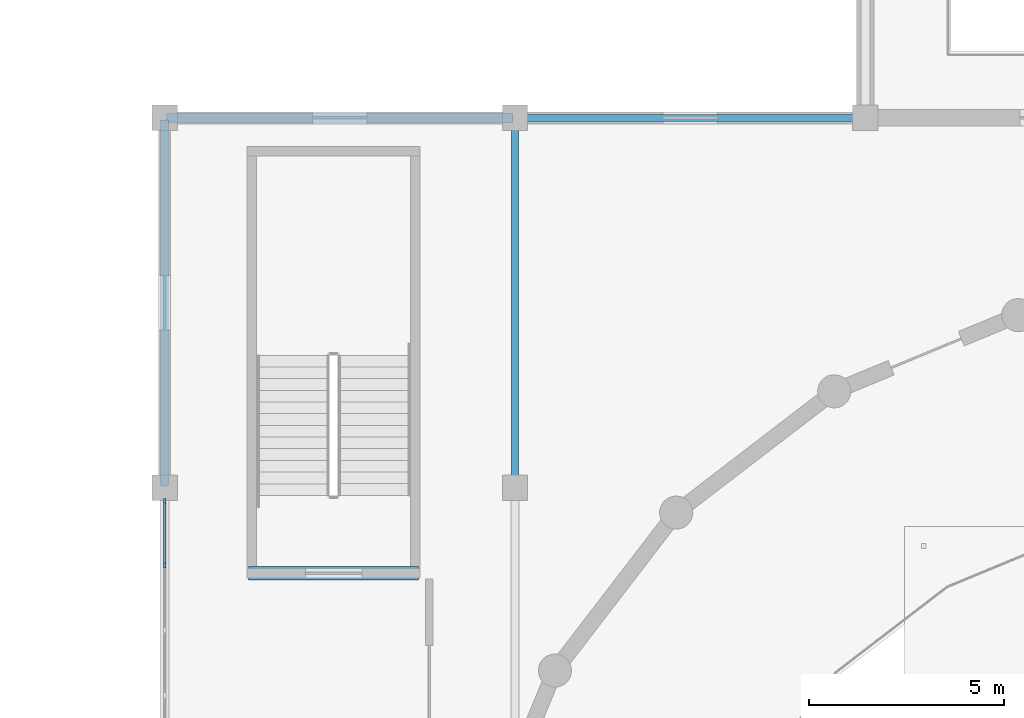
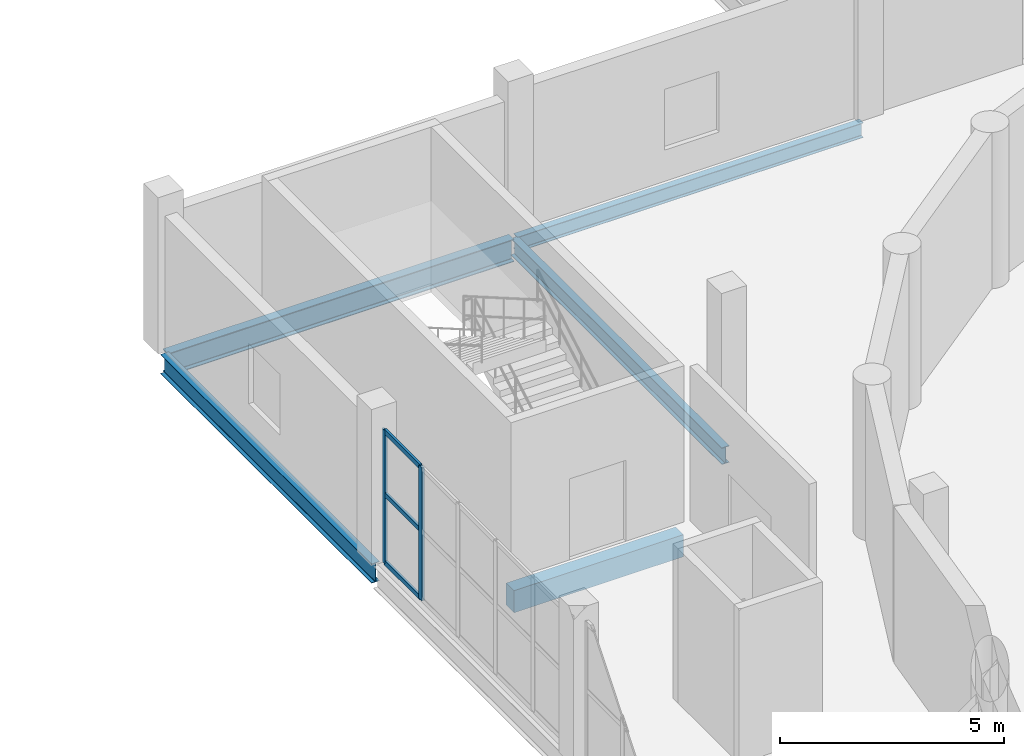
# One storey, part 24 of 54: 5 beams, 5 members, 1 element without a shape of its own.
"""IFC4 building model written with IfcOpenShell, lengths in metres."""

from ifc_helpers import new_model, si_unit, direction, frame, origin, origin_2d, place, context, subcontext, project, spatial, rectangle, i_section, extrude, material, layer, layer_set, material_profile, profile_set, type_object, element, aggregate, save


model = new_model("IFC4")

# Units and contexts
model_context = context("Model", 3, precision=1e-05, world=origin(), true_north=direction((0.0, 1.0)))
body_context = subcontext(model_context, "Body", "Model", "MODEL_VIEW")
ifc_project = project(units=[si_unit("LENGTHUNIT", "METRE"), si_unit("AREAUNIT", "SQUARE_METRE"), si_unit("VOLUMEUNIT", "CUBIC_METRE"), si_unit("PLANEANGLEUNIT", "RADIAN"), si_unit("MASSUNIT", "GRAM", prefix="KILO")], contexts=[model_context])

# Site, building, storey
site_placement = place(None, origin())
site = spatial("IfcSite", under=ifc_project, at=site_placement, CompositionType="ELEMENT")
building_placement = place(site_placement, origin())
building = spatial("IfcBuilding", under=site, at=building_placement, Name="Marnock Terrace Opera House", CompositionType="ELEMENT")
storey_placement = place(building_placement, frame((0.0, 0.0, 19.199951171875)))
storey = spatial("IfcBuildingStorey", under=building, at=storey_placement, Name="L04", CompositionType="ELEMENT", Elevation=19.199951171875)

# Beams
ifc_material_1 = material(Name="Steel Grade 350 (AS/NZS 3679.1)", Category="steel")
ifc_material_profile_1 = material_profile(ifc_material_1, i_section(OverallWidth=0.177978515625, OverallDepth=0.402587890625, WebThickness=0.007568359375, FlangeThickness=0.010986328125, FilletRadius=0.011474609375, at=origin_2d()))
ifc_profile_set_1 = profile_set([ifc_material_profile_1], Name="Steel Grade 350 (AS/NZS 3679.1)")
beam_type_1 = type_object("IfcBeamType", Name="BM-GIRD-410", PredefinedType="BEAM", material=ifc_profile_set_1)
beam_1_placement = place(storey_placement, frame((64.050048828125, 84.5, -0.451171875), z_axis=(1.0, 0.0, 0.0), x_axis=(0.0, 1.0, 0.0)))
element("IfcBeam", 1, at=beam_1_placement, inside=storey, type_object=beam_type_1, Name="L04 girder (64.0..73.0, Y=84.5)", PredefinedType="BEAM", context=body_context, shape_type="SweptSolid", body=[
    extrude(i_section(OverallWidth=0.177978515625, OverallDepth=0.402587890625, WebThickness=0.007568359375, FlangeThickness=0.010986328125, FilletRadius=0.011474609375, at=origin_2d()), origin(), (0.0, 0.0, 1.0), 8.89990234375),
])
ifc_material_profile_2 = material_profile(ifc_material_1, i_section(OverallWidth=0.18994140625, OverallDepth=0.45751953125, WebThickness=0.009033203125, FlangeThickness=0.014404296875, FilletRadius=0.011474609375, at=origin_2d()))
ifc_profile_set_2 = profile_set([ifc_material_profile_2], Name="Steel Grade 350 (AS/NZS 3679.1)")
beam_type_2 = type_object("IfcBeamType", Name="BM-GIRD-460B", PredefinedType="BEAM", material=ifc_profile_set_2)
beam_2_placement = place(storey_placement, frame((64.0, 75.050048828125, -0.478759765625), z_axis=(0.0, 1.0, 0.0), x_axis=(-1.0, 0.0, 0.0)))
element("IfcBeam", 2, at=beam_2_placement, inside=storey, type_object=beam_type_2, Name="L04 girder (X=64.0, 75.0..84.5)", PredefinedType="BEAM", context=body_context, shape_type="SweptSolid", body=[
    extrude(i_section(OverallWidth=0.18994140625, OverallDepth=0.45751953125, WebThickness=0.009033203125, FlangeThickness=0.014404296875, FilletRadius=0.011474609375, at=origin_2d()), origin(), (0.0, 0.0, 1.0), 9.39990234375),
])
ifc_material_profile_3 = material_profile(ifc_material_1, i_section(OverallWidth=0.208984375, OverallDepth=0.528076171875, WebThickness=0.009521484375, FlangeThickness=0.01318359375, FilletRadius=0.013916015625, at=origin_2d()))
ifc_profile_set_3 = profile_set([ifc_material_profile_3], Name="Steel Grade 350 (AS/NZS 3679.1)")
beam_type_3 = type_object("IfcBeamType", Name="BM-GIRD-530B", PredefinedType="BEAM", material=ifc_profile_set_3)
beam_3_placement = place(storey_placement, frame((55.0, 75.050048828125, -0.513916015625), z_axis=(0.0, 1.0, 0.0), x_axis=(-1.0, 0.0, 0.0)))
element("IfcBeam", 3, at=beam_3_placement, inside=storey, type_object=beam_type_3, Name="L04 girder (X=55.0, 75.0..84.5)", PredefinedType="BEAM", context=body_context, shape_type="SweptSolid", body=[
    extrude(i_section(OverallWidth=0.208984375, OverallDepth=0.528076171875, WebThickness=0.009521484375, FlangeThickness=0.01318359375, FilletRadius=0.013916015625, at=origin_2d()), origin(), (0.0, 0.0, 1.0), 9.39990234375),
])
ifc_material_profile_4 = material_profile(ifc_material_1, i_section(OverallWidth=0.22900390625, OverallDepth=0.611572265625, WebThickness=0.011962890625, FlangeThickness=0.01953125, FilletRadius=0.013916015625, at=origin_2d()))
ifc_profile_set_4 = profile_set([ifc_material_profile_4], Name="Steel Grade 350 (AS/NZS 3679.1)")
beam_type_4 = type_object("IfcBeamType", Name="BM-GIRD-610A", PredefinedType="BEAM", material=ifc_profile_set_4)
beam_4_placement = place(storey_placement, frame((55.050048828125, 84.5, -0.5556640625), z_axis=(1.0, 0.0, 0.0), x_axis=(0.0, 1.0, 0.0)))
element("IfcBeam", 4, at=beam_4_placement, inside=storey, type_object=beam_type_4, Name="L04 girder (55.0..64.0, Y=84.5)", PredefinedType="BEAM", context=body_context, shape_type="SweptSolid", body=[
    extrude(i_section(OverallWidth=0.22900390625, OverallDepth=0.611572265625, WebThickness=0.011962890625, FlangeThickness=0.01953125, FilletRadius=0.013916015625, at=origin_2d()), origin(), (0.0, 0.0, 1.0), 8.89990234375),
])
ifc_material_2 = material(Name="Concrete N40 (f'c = 40 MPa)", Category="concrete")
ifc_material_profile_5 = material_profile(ifc_material_2, rectangle(XDim=0.35009765625, YDim=0.60009765625, at=origin_2d()))
ifc_profile_set_5 = profile_set([ifc_material_profile_5], Name="Concrete N40 (f'c = 40 MPa)")
beam_type_5 = type_object("IfcBeamType", Name="BM-LINT-RC350", PredefinedType="LINTEL", material=ifc_profile_set_5)
beam_5_placement = place(storey_placement, frame((57.159912109375, 72.800048828125, -0.599853515625), z_axis=(1.0, 0.0, 0.0), x_axis=(0.0, 1.0, 0.0)))
element("IfcBeam", 5, at=beam_5_placement, inside=storey, type_object=beam_type_5, Name="L03 Core C3 coupling lintel", PredefinedType="LINTEL", context=body_context, shape_type="SweptSolid", body=[
    extrude(rectangle(XDim=0.35009765625, YDim=0.60009765625, at=origin_2d()), origin(), (0.0, 0.0, 1.0), 4.360107421875),
])

# Curtain wall, members
ifc_material_3 = material(Name="Anodised architectural bronze aluminium framing", Category="aluminium")
ifc_layer = layer(ifc_material_3, 0.159912109375)
ifc_layer_set = layer_set([ifc_layer], Name="Anodised architectural bronze aluminium framing")
curtain_wall_type = type_object("IfcCurtainWallType", Name="CW-DRUM-71x39", PredefinedType="NOTDEFINED", material=ifc_layer_set)
curtain_wall_placement = place(storey_placement, origin())
curtain_wall = element("IfcCurtainWall", 6, at=curtain_wall_placement, inside=storey, type_object=curtain_wall_type, Name="L04 glazed Beaux-Arts colonnade curtain wall CW-L04-V1W4", PredefinedType="NOTDEFINED")
ifc_material_profile_6 = material_profile(ifc_material_3, rectangle(XDim=0.06005859375, YDim=0.14990234375, at=origin_2d()))
ifc_profile_set_6 = profile_set([ifc_material_profile_6], Name="Anodised architectural bronze aluminium framing")
member_type_1 = type_object("IfcMemberType", Name="CWM-60x150", PredefinedType="MULLION", material=ifc_profile_set_6)
member_1_placement = place(storey_placement, frame((55.0, 73.00732421875, 0.0), z_axis=(0.0, 0.0, 1.0), x_axis=(-1.0, 0.0, 0.0)))
member_1 = element("IfcMember", 7, at=member_1_placement, type_object=member_type_1, Name="CW-76 mullion 5", PredefinedType="MULLION", context=body_context, shape_type="SweptSolid", body=[
    extrude(rectangle(XDim=0.06005859375, YDim=0.14990234375, at=origin_2d()), origin(), (0.0, 0.0, 1.0), 3.6181640625),
])
member_2_placement = place(storey_placement, frame((55.0, 74.64892578125, 0.0), z_axis=(0.0, 0.0, 1.0), x_axis=(-1.0, 0.0, 0.0)))
member_2 = element("IfcMember", 8, at=member_2_placement, type_object=member_type_1, Name="CW-76 mullion 6", PredefinedType="MULLION", context=body_context, shape_type="SweptSolid", body=[
    extrude(rectangle(XDim=0.06005859375, YDim=0.14990234375, at=origin_2d()), origin(), (0.0, 0.0, 1.0), 3.6181640625),
])
ifc_material_profile_7 = material_profile(ifc_material_3, rectangle(XDim=0.06005859375, YDim=0.1298828125, at=origin_2d()))
ifc_profile_set_7 = profile_set([ifc_material_profile_7], Name="Anodised architectural bronze aluminium framing")
member_type_2 = type_object("IfcMemberType", Name="CWT-60x130", PredefinedType="USERDEFINED", material=ifc_profile_set_7)
member_3_placement = place(storey_placement, frame((55.0, 73.037353515625, 0.030029296875), z_axis=(0.0, 1.0, 0.0), x_axis=(-1.0, 0.0, 0.0)))
member_3 = element("IfcMember", 9, at=member_3_placement, type_object=member_type_2, Name="CW-76 transom 5.1", ObjectType="TRANSOM", PredefinedType="USERDEFINED", context=body_context, shape_type="SweptSolid", body=[
    extrude(rectangle(XDim=0.06005859375, YDim=0.1298828125, at=origin_2d()), origin(), (0.0, 0.0, 1.0), 1.58154296875),
])
member_4_placement = place(storey_placement, frame((55.0, 73.037353515625, 1.88134765625), z_axis=(0.0, 1.0, 0.0), x_axis=(-1.0, 0.0, 0.0)))
member_4 = element("IfcMember", 10, at=member_4_placement, type_object=member_type_2, Name="CW-76 transom 5.2", ObjectType="TRANSOM", PredefinedType="USERDEFINED", context=body_context, shape_type="SweptSolid", body=[
    extrude(rectangle(XDim=0.06005859375, YDim=0.1298828125, at=origin_2d()), origin(), (0.0, 0.0, 1.0), 1.58154296875),
])
member_5_placement = place(storey_placement, frame((55.0, 73.037353515625, 3.588134765625), z_axis=(0.0, 1.0, 0.0), x_axis=(-1.0, 0.0, 0.0)))
member_5 = element("IfcMember", 11, at=member_5_placement, type_object=member_type_2, Name="CW-76 transom 5.3", ObjectType="TRANSOM", PredefinedType="USERDEFINED", context=body_context, shape_type="SweptSolid", body=[
    extrude(rectangle(XDim=0.06005859375, YDim=0.1298828125, at=origin_2d()), origin(), (0.0, 0.0, 1.0), 1.58154296875),
])
aggregate(curtain_wall, [member_1, member_2, member_3, member_4, member_5])

save(model, "model.ifc")
